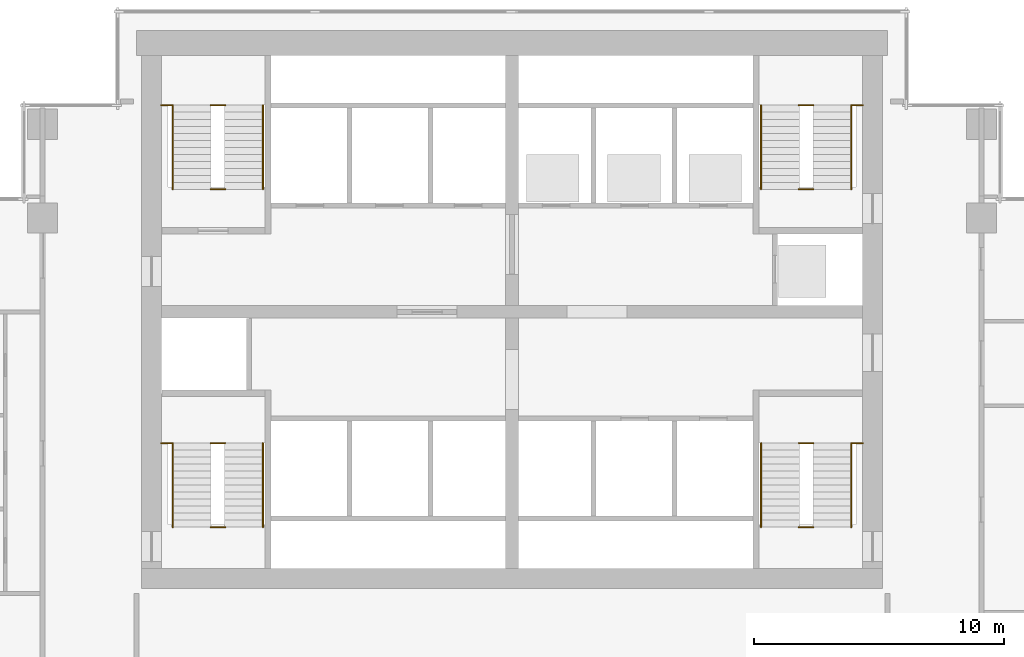
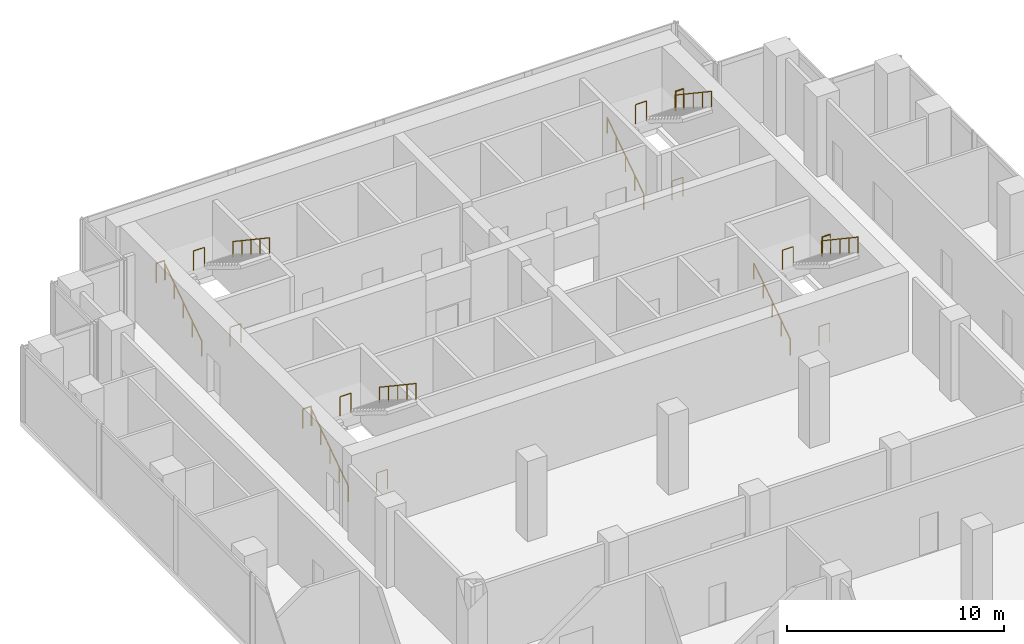
# One storey, part 7 of 8: 20 railings.
"""IFC4 building model written with IfcOpenShell, lengths in metres."""

from ifc_helpers import new_model, si_unit, direction, frame, origin, origin_2d, place, context, subcontext, project, spatial, circle, extrude, material, type_object, element, save


model = new_model("IFC4")

# Units and contexts
model_context = context("Model", 3, precision=1e-05, world=origin(), true_north=direction((0.0, 1.0)))
body_context = subcontext(model_context, "Body", "Model", "MODEL_VIEW")
ifc_project = project(units=[si_unit("LENGTHUNIT", "METRE"), si_unit("AREAUNIT", "SQUARE_METRE"), si_unit("VOLUMEUNIT", "CUBIC_METRE"), si_unit("PLANEANGLEUNIT", "RADIAN"), si_unit("MASSUNIT", "GRAM", prefix="KILO")], contexts=[model_context])

# Site, building, storey
site_placement = place(None, origin())
site = spatial("IfcSite", under=ifc_project, at=site_placement, CompositionType="ELEMENT")
building_placement = place(site_placement, origin())
building = spatial("IfcBuilding", under=site, at=building_placement, Name="Pilkhan Gate Tower", CompositionType="ELEMENT")
storey_placement = place(building_placement, frame((0.0, 0.0, 143.199951171875)))
storey = spatial("IfcBuildingStorey", under=building, at=storey_placement, Name="L36", CompositionType="ELEMENT", Elevation=143.199951171875)

# Railings
ifc_material_1 = material(Name="Black powder-coated steel tube", Category="steel")
railing_type_1 = type_object("IfcRailingType", Name="Stair handrail HR1", PredefinedType="HANDRAIL", material=ifc_material_1)
railing_1_placement = place(storey_placement, frame((84.949951171875, 73.89990234375, 0.0)))
element("IfcRailing", 1, at=railing_1_placement, inside=storey, type_object=railing_type_1, Name="Stair ST1 handrail L36", PredefinedType="HANDRAIL", context=body_context, shape_type="SweptSolid", body=[
    extrude(circle(Radius=0.02392578125, at=origin_2d()), frame((0.0, 0.0, 0.8759765625), z_axis=(0.0, 0.830915400975, 0.556398774641), x_axis=(-1.0, 0.0, 0.0)), (0.0, 0.0, 1.0), 4.0439453125),
    extrude(circle(Radius=0.02099609375, at=origin_2d()), origin(), (0.0, 0.0, 1.0), 0.851806640625),
    extrude(circle(Radius=0.02099609375, at=origin_2d()), frame((0.0, 0.840087890625, 0.5625)), (0.0, 0.0, 1.0), 0.851806640625),
    extrude(circle(Radius=0.02099609375, at=origin_2d()), frame((0.0, 1.68017578125, 1.125)), (0.0, 0.0, 1.0), 0.851806640625),
    extrude(circle(Radius=0.02099609375, at=origin_2d()), frame((0.0, 2.52001953125, 1.6875)), (0.0, 0.0, 1.0), 0.851806640625),
    extrude(circle(Radius=0.02099609375, at=origin_2d()), frame((0.0, 3.360107421875, 2.25)), (0.0, 0.0, 1.0), 0.851806640625),
])
railing_2_placement = place(storey_placement, frame((88.550048828125, 77.260009765625, 2.25)))
element("IfcRailing", 2, at=railing_2_placement, inside=storey, type_object=railing_type_1, Name="Stair ST1 handrail L36", PredefinedType="HANDRAIL", context=body_context, shape_type="SweptSolid", body=[
    extrude(circle(Radius=0.02392578125, at=origin_2d()), frame((0.0, 0.0, 0.8759765625), z_axis=(0.0, -0.830915400975, 0.556398774641), x_axis=(1.0, 0.0, 0.0)), (0.0, 0.0, 1.0), 4.0439453125),
    extrude(circle(Radius=0.02099609375, at=origin_2d()), origin(), (0.0, 0.0, 1.0), 0.851806640625),
    extrude(circle(Radius=0.02099609375, at=origin_2d()), frame((0.0, -0.840087890625, 0.5625)), (0.0, 0.0, 1.0), 0.851806640625),
    extrude(circle(Radius=0.02099609375, at=origin_2d()), frame((0.0, -1.68017578125, 1.125)), (0.0, 0.0, 1.0), 0.851806640625),
    extrude(circle(Radius=0.02099609375, at=origin_2d()), frame((0.0, -2.52001953125, 1.6875)), (0.0, 0.0, 1.0), 0.851806640625),
    extrude(circle(Radius=0.02099609375, at=origin_2d()), frame((0.0, -3.360107421875, 2.25)), (0.0, 0.0, 1.0), 0.851806640625),
])
railing_3_placement = place(storey_placement, frame((61.449951171875, 73.89990234375, 0.0)))
element("IfcRailing", 3, at=railing_3_placement, inside=storey, type_object=railing_type_1, Name="Stair ST2 handrail L36", PredefinedType="HANDRAIL", context=body_context, shape_type="SweptSolid", body=[
    extrude(circle(Radius=0.02392578125, at=origin_2d()), frame((0.0, 0.0, 0.8759765625), z_axis=(0.0, 0.830915400975, 0.556398774641), x_axis=(-1.0, 0.0, 0.0)), (0.0, 0.0, 1.0), 4.0439453125),
    extrude(circle(Radius=0.02099609375, at=origin_2d()), origin(), (0.0, 0.0, 1.0), 0.851806640625),
    extrude(circle(Radius=0.02099609375, at=origin_2d()), frame((0.0, 0.840087890625, 0.5625)), (0.0, 0.0, 1.0), 0.851806640625),
    extrude(circle(Radius=0.02099609375, at=origin_2d()), frame((0.0, 1.68017578125, 1.125)), (0.0, 0.0, 1.0), 0.851806640625),
    extrude(circle(Radius=0.02099609375, at=origin_2d()), frame((0.0, 2.52001953125, 1.6875)), (0.0, 0.0, 1.0), 0.851806640625),
    extrude(circle(Radius=0.02099609375, at=origin_2d()), frame((0.0, 3.360107421875, 2.25)), (0.0, 0.0, 1.0), 0.851806640625),
])
railing_4_placement = place(storey_placement, frame((65.050048828125, 77.260009765625, 2.25)))
element("IfcRailing", 4, at=railing_4_placement, inside=storey, type_object=railing_type_1, Name="Stair ST2 handrail L36", PredefinedType="HANDRAIL", context=body_context, shape_type="SweptSolid", body=[
    extrude(circle(Radius=0.02392578125, at=origin_2d()), frame((0.0, 0.0, 0.8759765625), z_axis=(0.0, -0.830915400975, 0.556398774641), x_axis=(1.0, 0.0, 0.0)), (0.0, 0.0, 1.0), 4.0439453125),
    extrude(circle(Radius=0.02099609375, at=origin_2d()), origin(), (0.0, 0.0, 1.0), 0.851806640625),
    extrude(circle(Radius=0.02099609375, at=origin_2d()), frame((0.0, -0.840087890625, 0.5625)), (0.0, 0.0, 1.0), 0.851806640625),
    extrude(circle(Radius=0.02099609375, at=origin_2d()), frame((0.0, -1.68017578125, 1.125)), (0.0, 0.0, 1.0), 0.851806640625),
    extrude(circle(Radius=0.02099609375, at=origin_2d()), frame((0.0, -2.52001953125, 1.6875)), (0.0, 0.0, 1.0), 0.851806640625),
    extrude(circle(Radius=0.02099609375, at=origin_2d()), frame((0.0, -3.360107421875, 2.25)), (0.0, 0.0, 1.0), 0.851806640625),
])
railing_5_placement = place(storey_placement, frame((61.449951171875, 87.39990234375, 0.0)))
element("IfcRailing", 5, at=railing_5_placement, inside=storey, type_object=railing_type_1, Name="Stair ST3 handrail L36", PredefinedType="HANDRAIL", context=body_context, shape_type="SweptSolid", body=[
    extrude(circle(Radius=0.02392578125, at=origin_2d()), frame((0.0, 0.0, 0.8759765625), z_axis=(0.0, 0.830915400975, 0.556398774641), x_axis=(-1.0, 0.0, 0.0)), (0.0, 0.0, 1.0), 4.0439453125),
    extrude(circle(Radius=0.02099609375, at=origin_2d()), origin(), (0.0, 0.0, 1.0), 0.851806640625),
    extrude(circle(Radius=0.02099609375, at=origin_2d()), frame((0.0, 0.840087890625, 0.5625)), (0.0, 0.0, 1.0), 0.851806640625),
    extrude(circle(Radius=0.02099609375, at=origin_2d()), frame((0.0, 1.68017578125, 1.125)), (0.0, 0.0, 1.0), 0.851806640625),
    extrude(circle(Radius=0.02099609375, at=origin_2d()), frame((0.0, 2.52001953125, 1.6875)), (0.0, 0.0, 1.0), 0.851806640625),
    extrude(circle(Radius=0.02099609375, at=origin_2d()), frame((0.0, 3.360107421875, 2.25)), (0.0, 0.0, 1.0), 0.851806640625),
])
railing_6_placement = place(storey_placement, frame((65.050048828125, 90.760009765625, 2.25)))
element("IfcRailing", 6, at=railing_6_placement, inside=storey, type_object=railing_type_1, Name="Stair ST3 handrail L36", PredefinedType="HANDRAIL", context=body_context, shape_type="SweptSolid", body=[
    extrude(circle(Radius=0.02392578125, at=origin_2d()), frame((0.0, 0.0, 0.8759765625), z_axis=(0.0, -0.830915400975, 0.556398774641), x_axis=(1.0, 0.0, 0.0)), (0.0, 0.0, 1.0), 4.0439453125),
    extrude(circle(Radius=0.02099609375, at=origin_2d()), origin(), (0.0, 0.0, 1.0), 0.851806640625),
    extrude(circle(Radius=0.02099609375, at=origin_2d()), frame((0.0, -0.840087890625, 0.5625)), (0.0, 0.0, 1.0), 0.851806640625),
    extrude(circle(Radius=0.02099609375, at=origin_2d()), frame((0.0, -1.68017578125, 1.125)), (0.0, 0.0, 1.0), 0.851806640625),
    extrude(circle(Radius=0.02099609375, at=origin_2d()), frame((0.0, -2.52001953125, 1.6875)), (0.0, 0.0, 1.0), 0.851806640625),
    extrude(circle(Radius=0.02099609375, at=origin_2d()), frame((0.0, -3.360107421875, 2.25)), (0.0, 0.0, 1.0), 0.851806640625),
])
railing_7_placement = place(storey_placement, frame((84.949951171875, 87.39990234375, 0.0)))
element("IfcRailing", 7, at=railing_7_placement, inside=storey, type_object=railing_type_1, Name="Stair ST4 handrail L36", PredefinedType="HANDRAIL", context=body_context, shape_type="SweptSolid", body=[
    extrude(circle(Radius=0.02392578125, at=origin_2d()), frame((0.0, 0.0, 0.8759765625), z_axis=(0.0, 0.830915400975, 0.556398774641), x_axis=(-1.0, 0.0, 0.0)), (0.0, 0.0, 1.0), 4.0439453125),
    extrude(circle(Radius=0.02099609375, at=origin_2d()), origin(), (0.0, 0.0, 1.0), 0.851806640625),
    extrude(circle(Radius=0.02099609375, at=origin_2d()), frame((0.0, 0.840087890625, 0.5625)), (0.0, 0.0, 1.0), 0.851806640625),
    extrude(circle(Radius=0.02099609375, at=origin_2d()), frame((0.0, 1.68017578125, 1.125)), (0.0, 0.0, 1.0), 0.851806640625),
    extrude(circle(Radius=0.02099609375, at=origin_2d()), frame((0.0, 2.52001953125, 1.6875)), (0.0, 0.0, 1.0), 0.851806640625),
    extrude(circle(Radius=0.02099609375, at=origin_2d()), frame((0.0, 3.360107421875, 2.25)), (0.0, 0.0, 1.0), 0.851806640625),
])
railing_8_placement = place(storey_placement, frame((88.550048828125, 90.760009765625, 2.25)))
element("IfcRailing", 8, at=railing_8_placement, inside=storey, type_object=railing_type_1, Name="Stair ST4 handrail L36", PredefinedType="HANDRAIL", context=body_context, shape_type="SweptSolid", body=[
    extrude(circle(Radius=0.02392578125, at=origin_2d()), frame((0.0, 0.0, 0.8759765625), z_axis=(0.0, -0.830915400975, 0.556398774641), x_axis=(1.0, 0.0, 0.0)), (0.0, 0.0, 1.0), 4.0439453125),
    extrude(circle(Radius=0.02099609375, at=origin_2d()), origin(), (0.0, 0.0, 1.0), 0.851806640625),
    extrude(circle(Radius=0.02099609375, at=origin_2d()), frame((0.0, -0.840087890625, 0.5625)), (0.0, 0.0, 1.0), 0.851806640625),
    extrude(circle(Radius=0.02099609375, at=origin_2d()), frame((0.0, -1.68017578125, 1.125)), (0.0, 0.0, 1.0), 0.851806640625),
    extrude(circle(Radius=0.02099609375, at=origin_2d()), frame((0.0, -2.52001953125, 1.6875)), (0.0, 0.0, 1.0), 0.851806640625),
    extrude(circle(Radius=0.02099609375, at=origin_2d()), frame((0.0, -3.360107421875, 2.25)), (0.0, 0.0, 1.0), 0.851806640625),
])
ifc_material_2 = material(Name="Black powder-coated steel balusters", Category="steel")
railing_type_2 = type_object("IfcRailingType", Name="Stair well guard G3", PredefinedType="GUARDRAIL", material=ifc_material_2)
railing_9_placement = place(storey_placement, frame((88.580078125, 77.260009765625, 2.25)))
element("IfcRailing", 9, at=railing_9_placement, inside=storey, type_object=railing_type_2, Name="Stair ST1 well guard L36", PredefinedType="GUARDRAIL", context=body_context, shape_type="SweptSolid", body=[
    extrude(circle(Radius=0.02392578125, at=origin_2d()), frame((0.0, 0.0, 1.076171875), z_axis=(1.0, 0.0, 0.0), x_axis=(0.0, 1.0, 0.0)), (0.0, 0.0, 1.0), 0.43994140625),
    extrude(circle(Radius=0.02099609375, at=origin_2d()), origin(), (0.0, 0.0, 1.0), 1.052001953125),
    extrude(circle(Radius=0.02099609375, at=origin_2d()), frame((0.43994140625, 0.0, 0.0)), (0.0, 0.0, 1.0), 1.052001953125),
])
for number, where, name in (
    (10, (86.4599609375, 73.89990234375, 0.0), "Stair ST1 well guard L36"),
    (11, (86.4599609375, 77.260009765625, 2.25), "Stair ST1 well guard L36"),
):
    element("IfcRailing", number, at=place(storey_placement, frame(where)), inside=storey, type_object=railing_type_2, Name=name, PredefinedType="GUARDRAIL", context=body_context, shape_type="SweptSolid", body=[
        extrude(circle(Radius=0.02392578125, at=origin_2d()), frame((0.0, 0.0, 1.076171875), z_axis=(1.0, 0.0, 0.0), x_axis=(0.0, 1.0, 0.0)), (0.0, 0.0, 1.0), 0.580078125),
        extrude(circle(Radius=0.02099609375, at=origin_2d()), origin(), (0.0, 0.0, 1.0), 1.052001953125),
        extrude(circle(Radius=0.02099609375, at=origin_2d()), frame((0.580078125, 0.0, 0.0)), (0.0, 0.0, 1.0), 1.052001953125),
    ])
railing_10_placement = place(storey_placement, frame((60.97998046875, 77.260009765625, 2.25)))
element("IfcRailing", 12, at=railing_10_placement, inside=storey, type_object=railing_type_2, Name="Stair ST2 well guard L36", PredefinedType="GUARDRAIL", context=body_context, shape_type="SweptSolid", body=[
    extrude(circle(Radius=0.02392578125, at=origin_2d()), frame((0.0, 0.0, 1.076171875), z_axis=(1.0, 0.0, 0.0), x_axis=(0.0, 1.0, 0.0)), (0.0, 0.0, 1.0), 0.43994140625),
    extrude(circle(Radius=0.02099609375, at=origin_2d()), origin(), (0.0, 0.0, 1.0), 1.052001953125),
    extrude(circle(Radius=0.02099609375, at=origin_2d()), frame((0.43994140625, 0.0, 0.0)), (0.0, 0.0, 1.0), 1.052001953125),
])
for number, where, name in (
    (13, (62.9599609375, 73.89990234375, 0.0), "Stair ST2 well guard L36"),
    (14, (62.9599609375, 77.260009765625, 2.25), "Stair ST2 well guard L36"),
):
    element("IfcRailing", number, at=place(storey_placement, frame(where)), inside=storey, type_object=railing_type_2, Name=name, PredefinedType="GUARDRAIL", context=body_context, shape_type="SweptSolid", body=[
        extrude(circle(Radius=0.02392578125, at=origin_2d()), frame((0.0, 0.0, 1.076171875), z_axis=(1.0, 0.0, 0.0), x_axis=(0.0, 1.0, 0.0)), (0.0, 0.0, 1.0), 0.580078125),
        extrude(circle(Radius=0.02099609375, at=origin_2d()), origin(), (0.0, 0.0, 1.0), 1.052001953125),
        extrude(circle(Radius=0.02099609375, at=origin_2d()), frame((0.580078125, 0.0, 0.0)), (0.0, 0.0, 1.0), 1.052001953125),
    ])
railing_11_placement = place(storey_placement, frame((60.97998046875, 90.760009765625, 2.25)))
element("IfcRailing", 15, at=railing_11_placement, inside=storey, type_object=railing_type_2, Name="Stair ST3 well guard L36", PredefinedType="GUARDRAIL", context=body_context, shape_type="SweptSolid", body=[
    extrude(circle(Radius=0.02392578125, at=origin_2d()), frame((0.0, 0.0, 1.076171875), z_axis=(1.0, 0.0, 0.0), x_axis=(0.0, 1.0, 0.0)), (0.0, 0.0, 1.0), 0.43994140625),
    extrude(circle(Radius=0.02099609375, at=origin_2d()), origin(), (0.0, 0.0, 1.0), 1.052001953125),
    extrude(circle(Radius=0.02099609375, at=origin_2d()), frame((0.43994140625, 0.0, 0.0)), (0.0, 0.0, 1.0), 1.052001953125),
])
for number, where, name in (
    (16, (62.9599609375, 87.39990234375, 0.0), "Stair ST3 well guard L36"),
    (17, (62.9599609375, 90.760009765625, 2.25), "Stair ST3 well guard L36"),
):
    element("IfcRailing", number, at=place(storey_placement, frame(where)), inside=storey, type_object=railing_type_2, Name=name, PredefinedType="GUARDRAIL", context=body_context, shape_type="SweptSolid", body=[
        extrude(circle(Radius=0.02392578125, at=origin_2d()), frame((0.0, 0.0, 1.076171875), z_axis=(1.0, 0.0, 0.0), x_axis=(0.0, 1.0, 0.0)), (0.0, 0.0, 1.0), 0.580078125),
        extrude(circle(Radius=0.02099609375, at=origin_2d()), origin(), (0.0, 0.0, 1.0), 1.052001953125),
        extrude(circle(Radius=0.02099609375, at=origin_2d()), frame((0.580078125, 0.0, 0.0)), (0.0, 0.0, 1.0), 1.052001953125),
    ])
railing_12_placement = place(storey_placement, frame((88.580078125, 90.760009765625, 2.25)))
element("IfcRailing", 18, at=railing_12_placement, inside=storey, type_object=railing_type_2, Name="Stair ST4 well guard L36", PredefinedType="GUARDRAIL", context=body_context, shape_type="SweptSolid", body=[
    extrude(circle(Radius=0.02392578125, at=origin_2d()), frame((0.0, 0.0, 1.076171875), z_axis=(1.0, 0.0, 0.0), x_axis=(0.0, 1.0, 0.0)), (0.0, 0.0, 1.0), 0.43994140625),
    extrude(circle(Radius=0.02099609375, at=origin_2d()), origin(), (0.0, 0.0, 1.0), 1.052001953125),
    extrude(circle(Radius=0.02099609375, at=origin_2d()), frame((0.43994140625, 0.0, 0.0)), (0.0, 0.0, 1.0), 1.052001953125),
])
for number, where, name in (
    (19, (86.4599609375, 87.39990234375, 0.0), "Stair ST4 well guard L36"),
    (20, (86.4599609375, 90.760009765625, 2.25), "Stair ST4 well guard L36"),
):
    element("IfcRailing", number, at=place(storey_placement, frame(where)), inside=storey, type_object=railing_type_2, Name=name, PredefinedType="GUARDRAIL", context=body_context, shape_type="SweptSolid", body=[
        extrude(circle(Radius=0.02392578125, at=origin_2d()), frame((0.0, 0.0, 1.076171875), z_axis=(1.0, 0.0, 0.0), x_axis=(0.0, 1.0, 0.0)), (0.0, 0.0, 1.0), 0.580078125),
        extrude(circle(Radius=0.02099609375, at=origin_2d()), origin(), (0.0, 0.0, 1.0), 1.052001953125),
        extrude(circle(Radius=0.02099609375, at=origin_2d()), frame((0.580078125, 0.0, 0.0)), (0.0, 0.0, 1.0), 1.052001953125),
    ])

save(model, "model.ifc")
